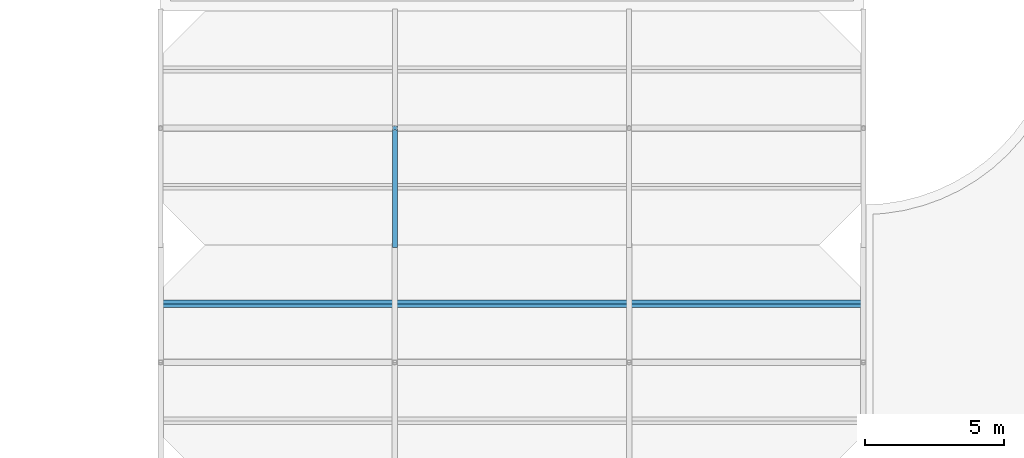
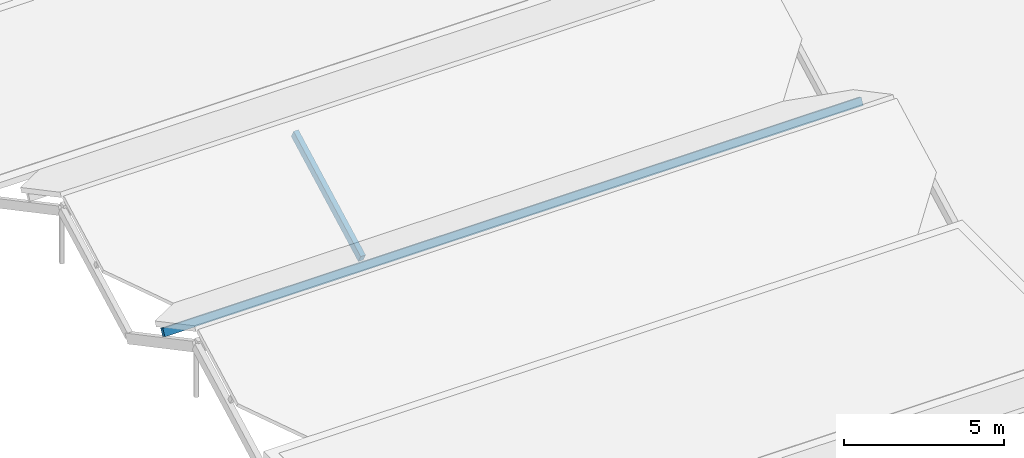
# One storey, part 41 of 82: 2 members.
"""IFC4 building model written with IfcOpenShell, lengths in metres."""

from ifc_helpers import new_model, si_unit, direction, frame, origin, origin_2d, place, context, subcontext, project, spatial, rectangle, extrude, material, material_profile, profile_set, type_object, element, save


model = new_model("IFC4")

# Units and contexts
model_context = context("Model", 3, precision=1e-05, world=origin(), true_north=direction((0.0, 1.0)))
body_context = subcontext(model_context, "Body", "Model", "MODEL_VIEW")
ifc_project = project(units=[si_unit("LENGTHUNIT", "METRE"), si_unit("AREAUNIT", "SQUARE_METRE"), si_unit("VOLUMEUNIT", "CUBIC_METRE"), si_unit("PLANEANGLEUNIT", "RADIAN"), si_unit("MASSUNIT", "GRAM", prefix="KILO")], contexts=[model_context])

# Site, building, storey
site_placement = place(None, origin())
site = spatial("IfcSite", under=ifc_project, at=site_placement, CompositionType="ELEMENT")
building_placement = place(site_placement, origin())
building = spatial("IfcBuilding", under=site, at=building_placement, Name="Bramfleet General Hospital", CompositionType="ELEMENT")
storey_placement = place(building_placement, frame((0.0, 0.0, 34.199951171875)))
storey = spatial("IfcBuildingStorey", under=building, at=storey_placement, Name="Roof", CompositionType="ELEMENT", Elevation=34.199951171875)

# Members
ifc_material = material(Name="Structural timber GL28h", Category="wood")
ifc_material_profile_1 = material_profile(ifc_material, rectangle(XDim=0.159912109375, YDim=0.280029296875, at=origin_2d()), Name="GL28h 280x160")
ifc_profile_set_1 = profile_set([ifc_material_profile_1], Name="Structural timber GL28h")
member_type_1 = type_object("IfcMemberType", Name="MEM-PR-GL280", PredefinedType="PURLIN", material=ifc_profile_set_1)
member_1_placement = place(storey_placement, frame((92.39990234375, 56.699951171875, 0.71533203125), z_axis=(1.0, 0.0, 0.0), x_axis=(0.0, 0.882947592859, -0.469471562786)))
element("IfcMember", 1, at=member_1_placement, inside=storey, type_object=member_type_1, Name="Patient House PH-11 North Glulam Purlin", PredefinedType="PURLIN", context=body_context, shape_type="SweptSolid", body=[
    extrude(rectangle(XDim=0.159912109375, YDim=0.280029296875, at=origin_2d()), origin(), (0.0, 0.0, 1.0), 25.2001953125),
])
ifc_material_profile_2 = material_profile(ifc_material, rectangle(XDim=0.179931640625, YDim=0.320068359375, at=origin_2d()), Name="GL28h 320x180")
ifc_profile_set_2 = profile_set([ifc_material_profile_2], Name="Structural timber GL28h")
member_type_2 = type_object("IfcMemberType", Name="MEM-RF-GL320", PredefinedType="RAFTER", material=ifc_profile_set_2)
member_2_placement = place(storey_placement, frame((100.800048828125, 58.800048828125, -0.671875), z_axis=(0.0, 0.882947536541, 0.469471668705), x_axis=(-1.0, 0.0, 0.0)))
element("IfcMember", 2, at=member_2_placement, inside=storey, type_object=member_type_2, Name="Patient House PH-12 South Glulam Rafter 1", PredefinedType="RAFTER", context=body_context, shape_type="SweptSolid", body=[
    extrude(rectangle(XDim=0.179931640625, YDim=0.320068359375, at=origin_2d()), origin(), (0.0, 0.0, 1.0), 4.7568359375),
])

save(model, "model.ifc")
